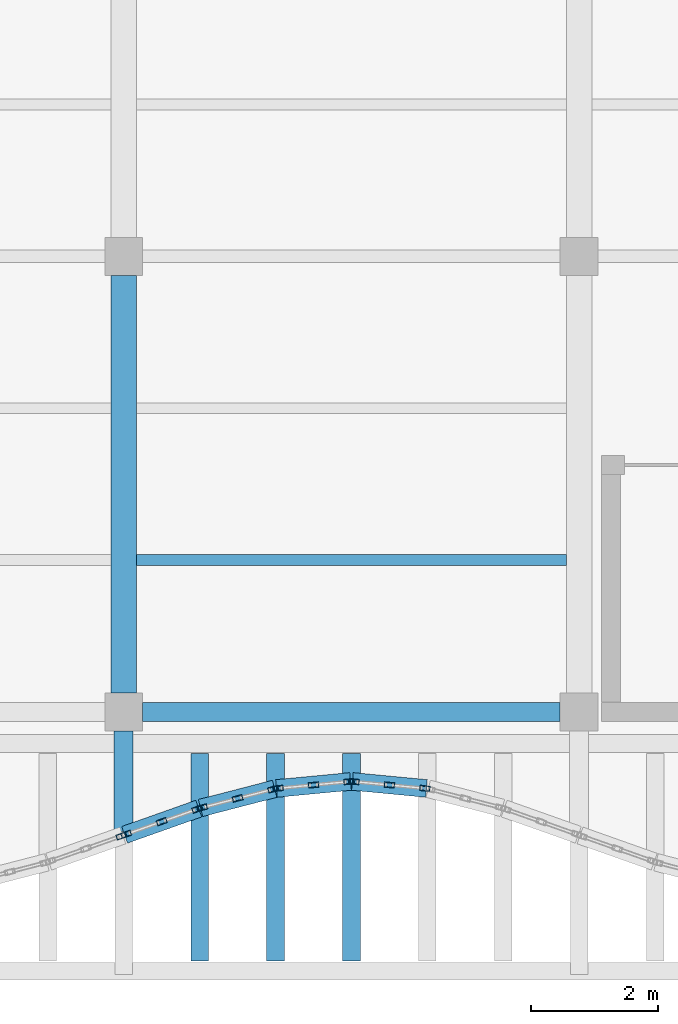
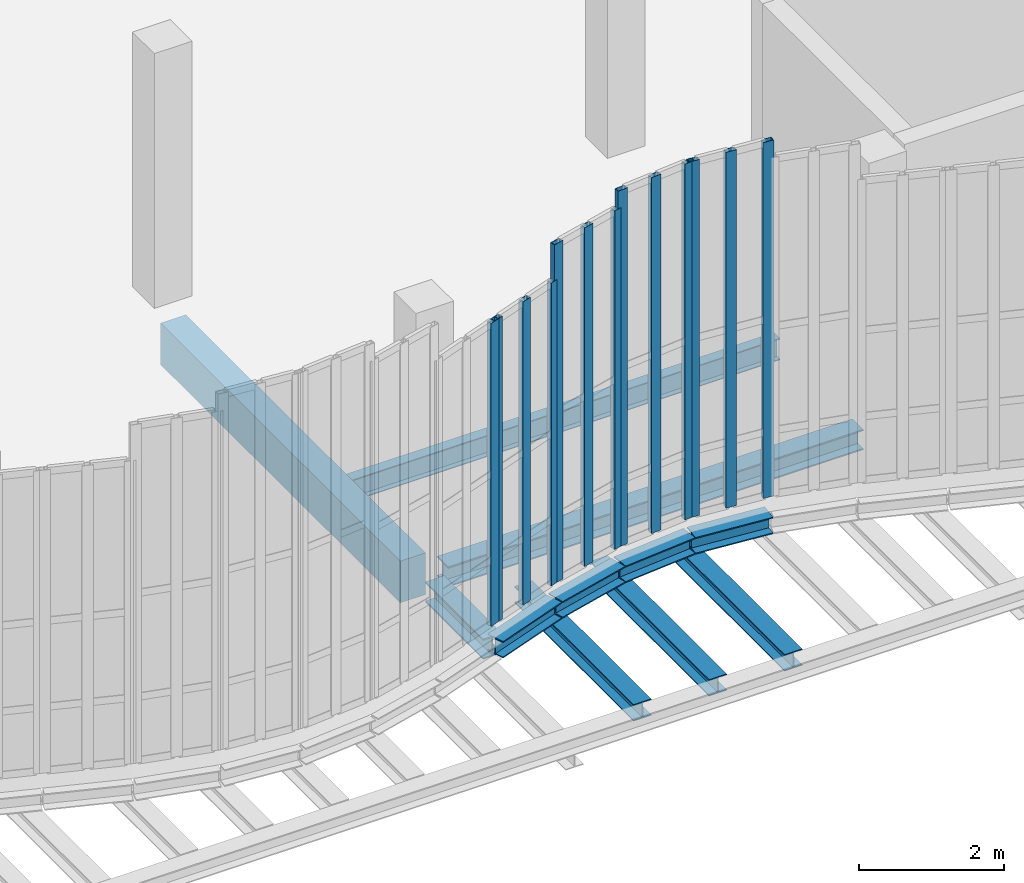
# One storey, part 9 of 76: 13 members, 11 beams, 5 elements without a shape of their own.
"""IFC4 building model written with IfcOpenShell, lengths in metres."""

from ifc_helpers import new_model, si_unit, direction, frame, origin, origin_2d, place, context, subcontext, project, spatial, rectangle, hollow_rectangle, i_section, extrude, material, layer, layer_set, material_profile, profile_set, type_object, element, aggregate, save


model = new_model("IFC4")

# Units and contexts
model_context = context("Model", 3, precision=1e-05, world=origin(), true_north=direction((0.0, 1.0)))
body_context = subcontext(model_context, "Body", "Model", "MODEL_VIEW")
ifc_project = project(units=[si_unit("LENGTHUNIT", "METRE"), si_unit("AREAUNIT", "SQUARE_METRE"), si_unit("VOLUMEUNIT", "CUBIC_METRE"), si_unit("PLANEANGLEUNIT", "RADIAN"), si_unit("MASSUNIT", "GRAM", prefix="KILO"), si_unit("THERMODYNAMICTEMPERATUREUNIT", "KELVIN"), si_unit("POWERUNIT", "WATT")], contexts=[model_context])

# Site, building, storey
site_placement = place(None, origin())
site = spatial("IfcSite", under=ifc_project, at=site_placement, CompositionType="ELEMENT")
building_placement = place(site_placement, origin())
building = spatial("IfcBuilding", under=site, at=building_placement, Name="Kaldorven Railside Theatre", CompositionType="ELEMENT")
storey_placement = place(building_placement, frame((0.0, 0.0, 14.39990234375)))
storey = spatial("IfcBuildingStorey", under=building, at=storey_placement, Name="L03", CompositionType="ELEMENT", Elevation=14.39990234375)

# Beams
ifc_material_1 = material(Name="Steel S355", Category="steel")
ifc_material_profile_1 = material_profile(ifc_material_1, i_section(OverallWidth=0.280029296875, OverallDepth=0.280029296875, WebThickness=0.010498046875, FlangeThickness=0.01806640625, at=origin_2d()), Name="HEB 280")
ifc_profile_set_1 = profile_set([ifc_material_profile_1], Name="Steel S355")
beam_type_1 = type_object("IfcBeamType", Name="BM-HEB280", PredefinedType="SPANDREL", material=ifc_profile_set_1)
beam_1_placement = place(storey_placement, frame((51.214111328125, 17.2548828125, -0.419921875), z_axis=(0.942627225161, 0.333847142245, 0.0), x_axis=(-0.333847142245, 0.942627225161, 0.0)))
element("IfcBeam", 1, at=beam_1_placement, inside=storey, type_object=beam_type_1, Name="L03 Sinusoidal Flute Edge Spandrel FSB-157", PredefinedType="SPANDREL", context=body_context, shape_type="SweptSolid", body=[
    extrude(i_section(OverallWidth=0.280029296875, OverallDepth=0.280029296875, WebThickness=0.010498046875, FlangeThickness=0.01806640625, at=origin_2d()), origin(), (0.0, 0.0, 1.0), 1.2431640625),
])
beam_2_placement = place(storey_placement, frame((52.41455078125, 17.6787109375, -0.419921875), z_axis=(0.967967836725, 0.251074226206, 0.0), x_axis=(-0.251074226206, 0.967967836725, 0.0)))
element("IfcBeam", 2, at=beam_2_placement, inside=storey, type_object=beam_type_1, Name="L03 Sinusoidal Flute Edge Spandrel FSB-158", PredefinedType="SPANDREL", context=body_context, shape_type="SweptSolid", body=[
    extrude(i_section(OverallWidth=0.280029296875, OverallDepth=0.280029296875, WebThickness=0.010498046875, FlangeThickness=0.01806640625, at=origin_2d()), origin(), (0.0, 0.0, 1.0), 1.209716796875),
])
beam_3_placement = place(storey_placement, frame((52.39990234375, 15.260009765625, -0.699951171875), z_axis=(0.0, 1.0, 0.0), x_axis=(-1.0, 0.0, 0.0)))
element("IfcBeam", 3, at=beam_3_placement, inside=storey, type_object=beam_type_1, Name="L03 Sinusoidal Diaphragm Rib Outrigger FOB-M158", PredefinedType="SPANDREL", context=body_context, shape_type="SweptSolid", body=[
    extrude(i_section(OverallWidth=0.280029296875, OverallDepth=0.280029296875, WebThickness=0.010498046875, FlangeThickness=0.01806640625, at=origin_2d()), origin(), (0.0, 0.0, 1.0), 3.280029296875),
])
beam_4_placement = place(storey_placement, frame((53.614990234375, 17.987548828125, -0.419921875), z_axis=(0.99552436473, 0.094505233873, 0.0), x_axis=(-0.094505233873, 0.99552436473, 0.0)))
element("IfcBeam", 4, at=beam_4_placement, inside=storey, type_object=beam_type_1, Name="L03 Sinusoidal Flute Edge Spandrel FSB-159", PredefinedType="SPANDREL", context=body_context, shape_type="SweptSolid", body=[
    extrude(i_section(OverallWidth=0.280029296875, OverallDepth=0.280029296875, WebThickness=0.010498046875, FlangeThickness=0.01806640625, at=origin_2d()), origin(), (0.0, 0.0, 1.0), 1.175537109375),
])
beam_5_placement = place(storey_placement, frame((53.60009765625, 15.260009765625, -0.699951171875), z_axis=(0.0, 1.0, 0.0), x_axis=(-1.0, 0.0, 0.0)))
element("IfcBeam", 5, at=beam_5_placement, inside=storey, type_object=beam_type_1, Name="L03 Sinusoidal Diaphragm Rib Outrigger FOB-M159", PredefinedType="SPANDREL", context=body_context, shape_type="SweptSolid", body=[
    extrude(i_section(OverallWidth=0.280029296875, OverallDepth=0.280029296875, WebThickness=0.010498046875, FlangeThickness=0.01806640625, at=origin_2d()), origin(), (0.0, 0.0, 1.0), 3.280029296875),
])
beam_6_placement = place(storey_placement, frame((54.81494140625, 18.0986328125, -0.419921875), z_axis=(0.99552436473, -0.094505233873, 0.0), x_axis=(0.094505233873, 0.99552436473, 0.0)))
element("IfcBeam", 6, at=beam_6_placement, inside=storey, type_object=beam_type_1, Name="L03 Sinusoidal Flute Edge Spandrel FSB-160", PredefinedType="SPANDREL", context=body_context, shape_type="SweptSolid", body=[
    extrude(i_section(OverallWidth=0.280029296875, OverallDepth=0.280029296875, WebThickness=0.010498046875, FlangeThickness=0.01806640625, at=origin_2d()), origin(), (0.0, 0.0, 1.0), 1.175537109375),
])
beam_7_placement = place(storey_placement, frame((54.800048828125, 15.260009765625, -0.699951171875), z_axis=(0.0, 1.0, 0.0), x_axis=(-1.0, 0.0, 0.0)))
element("IfcBeam", 7, at=beam_7_placement, inside=storey, type_object=beam_type_1, Name="L03 Sinusoidal Diaphragm Rib Outrigger FOB-M160", PredefinedType="SPANDREL", context=body_context, shape_type="SweptSolid", body=[
    extrude(i_section(OverallWidth=0.280029296875, OverallDepth=0.280029296875, WebThickness=0.010498046875, FlangeThickness=0.01806640625, at=origin_2d()), origin(), (0.0, 0.0, 1.0), 3.280029296875),
])
ifc_material_profile_2 = material_profile(ifc_material_1, i_section(OverallWidth=0.300048828125, OverallDepth=0.340087890625, WebThickness=0.011962890625, FlangeThickness=0.021484375, at=origin_2d()), Name="HEB 340")
ifc_profile_set_2 = profile_set([ifc_material_profile_2], Name="Steel S355")
beam_type_2 = type_object("IfcBeamType", Name="BM-HEB340", PredefinedType="SPANDREL", material=ifc_profile_set_2)
beam_8_placement = place(storey_placement, frame((51.5, 19.199951171875, -0.449951171875), z_axis=(1.0, 0.0, 0.0), x_axis=(0.0, 1.0, 0.0)))
element("IfcBeam", 8, at=beam_8_placement, inside=storey, type_object=beam_type_2, Name="L03 Girder BGX-L03-051-019", PredefinedType="SPANDREL", context=body_context, shape_type="SweptSolid", body=[
    extrude(i_section(OverallWidth=0.300048828125, OverallDepth=0.340087890625, WebThickness=0.011962890625, FlangeThickness=0.021484375, at=origin_2d()), origin(), (0.0, 0.0, 1.0), 6.60009765625),
])
beam_9_placement = place(storey_placement, frame((51.199951171875, 17.31005859375, -0.449951171875), z_axis=(0.0, 1.0, 0.0), x_axis=(-1.0, 0.0, 0.0)))
element("IfcBeam", 9, at=beam_9_placement, inside=storey, type_object=beam_type_2, Name="L03 Sinusoidal Veil Outrigger FOB-3051", PredefinedType="SPANDREL", context=body_context, shape_type="SweptSolid", body=[
    extrude(i_section(OverallWidth=0.300048828125, OverallDepth=0.340087890625, WebThickness=0.011962890625, FlangeThickness=0.021484375, at=origin_2d()), origin(), (0.0, 0.0, 1.0), 1.58984375),
])
ifc_material_profile_3 = material_profile(ifc_material_1, i_section(OverallWidth=0.169921875, OverallDepth=0.360107421875, WebThickness=0.008056640625, FlangeThickness=0.0126953125, at=origin_2d()), Name="IPE 360")
ifc_profile_set_3 = profile_set([ifc_material_profile_3], Name="Steel S355")
beam_type_3 = type_object("IfcBeamType", Name="BM-IPE360", PredefinedType="JOIST", material=ifc_profile_set_3)
beam_10_placement = place(storey_placement, frame((51.39990234375, 21.60009765625, -0.4599609375), z_axis=(1.0, 0.0, 0.0), x_axis=(0.0, 1.0, 0.0)))
element("IfcBeam", 10, at=beam_10_placement, inside=storey, type_object=beam_type_3, Name="L03 Secondary Floor Joist JG-L03-051-0216", PredefinedType="JOIST", context=body_context, shape_type="SweptSolid", body=[
    extrude(i_section(OverallWidth=0.169921875, OverallDepth=0.360107421875, WebThickness=0.008056640625, FlangeThickness=0.0126953125, at=origin_2d()), origin(), (0.0, 0.0, 1.0), 6.800048828125),
])
ifc_material_2 = material(Name="Concrete C40/50", Category="concrete")
ifc_material_profile_4 = material_profile(ifc_material_2, rectangle(XDim=0.39990234375, YDim=0.699951171875, at=origin_2d()), Name="RC 400x700")
ifc_profile_set_4 = profile_set([ifc_material_profile_4], Name="Concrete C40/50")
beam_type_4 = type_object("IfcBeamType", Name="BM-RC400x700", PredefinedType="BEAM", material=ifc_profile_set_4)
beam_11_placement = place(storey_placement, frame((51.199951171875, 19.5, -0.6298828125), z_axis=(0.0, 1.0, 0.0), x_axis=(-1.0, 0.0, 0.0)))
element("IfcBeam", 11, at=beam_11_placement, inside=storey, type_object=beam_type_4, Name="L03 Girder BGY-L03-051-019-72", PredefinedType="BEAM", context=body_context, shape_type="SweptSolid", body=[
    extrude(rectangle(XDim=0.39990234375, YDim=0.699951171875, at=origin_2d()), origin(), (0.0, 0.0, 1.0), 6.60009765625),
])

# Curtain wall, member
ifc_material_3 = material(Name="Low-E laminated solar-control glass", Category="glass")
ifc_layer_1 = layer(ifc_material_3, 0.159912109375, Name="Low-E laminated solar-control glass")
ifc_layer_set_1 = layer_set([ifc_layer_1], Name="Low-E laminated solar-control glass")
curtain_wall_type_1 = type_object("IfcCurtainWallType", Name="CWT-08", PredefinedType="USERDEFINED", material=ifc_layer_set_1)
curtain_wall_1_placement = place(storey_placement, origin())
curtain_wall_1 = element("IfcCurtainWall", 12, at=curtain_wall_1_placement, inside=storey, type_object=curtain_wall_type_1, Name="Sinusoidal Fluted Curtain Wall CW-L03-S12", ObjectType="FLUTED GLAZING", PredefinedType="USERDEFINED")
ifc_material_4 = material(Name="Anodised bronze aluminium", Category="aluminium")
ifc_material_profile_5 = material_profile(ifc_material_4, hollow_rectangle(XDim=0.080078125, YDim=0.159912109375, WallThickness=0.00634765625, at=origin_2d()), Name="RHS 160x80x6.3")
ifc_profile_set_5 = profile_set([ifc_material_profile_5], Name="Anodised bronze aluminium")
member_type = type_object("IfcMemberType", Name="CWM-160", PredefinedType="MULLION", material=ifc_profile_set_5)
member_1_placement = place(storey_placement, frame((51.162353515625, 17.236572265625, 0.0), z_axis=(0.0, 0.0, 1.0), x_axis=(-0.33384714225, 0.942627225159, 0.0)))
member_1 = element("IfcMember", 13, at=member_1_placement, type_object=member_type, Name="CW-L03-S12 mullion 3", PredefinedType="MULLION", context=body_context, shape_type="SweptSolid", body=[
    extrude(hollow_rectangle(XDim=0.080078125, YDim=0.159912109375, WallThickness=0.00634765625, at=origin_2d()), origin(), (0.0, 0.0, 1.0), 5.090087890625),
])
aggregate(curtain_wall_1, [member_1])

# Curtain wall, members
curtain_wall_2_placement = place(storey_placement, origin())
curtain_wall_2 = element("IfcCurtainWall", 14, at=curtain_wall_2_placement, inside=storey, type_object=curtain_wall_type_1, Name="Sinusoidal Fluted Curtain Wall CW-L03-S13", ObjectType="FLUTED GLAZING", PredefinedType="USERDEFINED")
member_2_placement = place(storey_placement, frame((51.23779296875, 17.263427734375, 0.0), z_axis=(0.0, 0.0, 1.0), x_axis=(-0.33384714225, 0.942627225159, 0.0)))
member_2 = element("IfcMember", 15, at=member_2_placement, type_object=member_type, Name="CW-L03-S13 mullion 1", PredefinedType="MULLION", context=body_context, shape_type="SweptSolid", body=[
    extrude(hollow_rectangle(XDim=0.080078125, YDim=0.159912109375, WallThickness=0.00634765625, at=origin_2d()), origin(), (0.0, 0.0, 1.0), 5.090087890625),
])
member_3_placement = place(storey_placement, frame((51.800048828125, 17.46240234375, 0.0), z_axis=(0.0, 0.0, 1.0), x_axis=(-0.33384714225, 0.942627225159, 0.0)))
member_3 = element("IfcMember", 16, at=member_3_placement, type_object=member_type, Name="CW-L03-S13 mullion 2", PredefinedType="MULLION", context=body_context, shape_type="SweptSolid", body=[
    extrude(hollow_rectangle(XDim=0.080078125, YDim=0.159912109375, WallThickness=0.00634765625, at=origin_2d()), origin(), (0.0, 0.0, 1.0), 5.090087890625),
])
member_4_placement = place(storey_placement, frame((52.3623046875, 17.66162109375, 0.0), z_axis=(0.0, 0.0, 1.0), x_axis=(-0.33384714225, 0.942627225159, 0.0)))
member_4 = element("IfcMember", 17, at=member_4_placement, type_object=member_type, Name="CW-L03-S13 mullion 3", PredefinedType="MULLION", context=body_context, shape_type="SweptSolid", body=[
    extrude(hollow_rectangle(XDim=0.080078125, YDim=0.159912109375, WallThickness=0.00634765625, at=origin_2d()), origin(), (0.0, 0.0, 1.0), 5.090087890625),
])
aggregate(curtain_wall_2, [member_2, member_3, member_4])

ifc_layer_2 = layer(ifc_material_3, 0.159912109375, Name="Low-E laminated solar-control glass")
ifc_layer_set_2 = layer_set([ifc_layer_2], Name="Low-E laminated solar-control glass")
curtain_wall_type_2 = type_object("IfcCurtainWallType", Name="CWT-09", PredefinedType="USERDEFINED", material=ifc_layer_set_2)
curtain_wall_3_placement = place(storey_placement, origin())
curtain_wall_3 = element("IfcCurtainWall", 18, at=curtain_wall_3_placement, inside=storey, type_object=curtain_wall_type_2, Name="Sinusoidal Fluted Curtain Wall CW-L03-S14", ObjectType="FLUTED GLAZING", PredefinedType="USERDEFINED")
member_5_placement = place(storey_placement, frame((52.438720703125, 17.68505859375, 0.0), z_axis=(0.0, 0.0, 1.0), x_axis=(-0.250953760326, 0.967999075505, 0.0)))
member_5 = element("IfcMember", 19, at=member_5_placement, type_object=member_type, Name="CW-L03-S14 mullion 1", PredefinedType="MULLION", context=body_context, shape_type="SweptSolid", body=[
    extrude(hollow_rectangle(XDim=0.080078125, YDim=0.159912109375, WallThickness=0.00634765625, at=origin_2d()), origin(), (0.0, 0.0, 1.0), 5.690185546875),
])
member_6_placement = place(storey_placement, frame((53.0, 17.83056640625, 0.0), z_axis=(0.0, 0.0, 1.0), x_axis=(-0.250953760326, 0.967999075505, 0.0)))
member_6 = element("IfcMember", 20, at=member_6_placement, type_object=member_type, Name="CW-L03-S14 mullion 2", PredefinedType="MULLION", context=body_context, shape_type="SweptSolid", body=[
    extrude(hollow_rectangle(XDim=0.080078125, YDim=0.159912109375, WallThickness=0.00634765625, at=origin_2d()), origin(), (0.0, 0.0, 1.0), 5.690185546875),
])
member_7_placement = place(storey_placement, frame((53.561279296875, 17.97607421875, 0.0), z_axis=(0.0, 0.0, 1.0), x_axis=(-0.250953760326, 0.967999075505, 0.0)))
member_7 = element("IfcMember", 21, at=member_7_placement, type_object=member_type, Name="CW-L03-S14 mullion 3", PredefinedType="MULLION", context=body_context, shape_type="SweptSolid", body=[
    extrude(hollow_rectangle(XDim=0.080078125, YDim=0.159912109375, WallThickness=0.00634765625, at=origin_2d()), origin(), (0.0, 0.0, 1.0), 5.690185546875),
])
aggregate(curtain_wall_3, [member_5, member_6, member_7])

ifc_layer_3 = layer(ifc_material_3, 0.159912109375, Name="Low-E laminated solar-control glass")
ifc_layer_set_3 = layer_set([ifc_layer_3], Name="Low-E laminated solar-control glass")
curtain_wall_type_3 = type_object("IfcCurtainWallType", Name="CWT-10", PredefinedType="USERDEFINED", material=ifc_layer_set_3)
curtain_wall_4_placement = place(storey_placement, origin())
curtain_wall_4 = element("IfcCurtainWall", 22, at=curtain_wall_4_placement, inside=storey, type_object=curtain_wall_type_3, Name="Sinusoidal Fluted Curtain Wall CW-L03-S15", ObjectType="FLUTED GLAZING", PredefinedType="USERDEFINED")
member_8_placement = place(storey_placement, frame((53.639892578125, 17.989990234375, 0.0), z_axis=(0.0, 0.0, 1.0), x_axis=(-0.094491973758, 0.995525623425, 0.0)))
member_8 = element("IfcMember", 23, at=member_8_placement, type_object=member_type, Name="CW-L03-S15 mullion 1", PredefinedType="MULLION", context=body_context, shape_type="SweptSolid", body=[
    extrude(hollow_rectangle(XDim=0.080078125, YDim=0.159912109375, WallThickness=0.00634765625, at=origin_2d()), origin(), (0.0, 0.0, 1.0), 5.97998046875),
])
member_9_placement = place(storey_placement, frame((54.199951171875, 18.04296875, 0.0), z_axis=(0.0, 0.0, 1.0), x_axis=(-0.094491973758, 0.995525623425, 0.0)))
member_9 = element("IfcMember", 24, at=member_9_placement, type_object=member_type, Name="CW-L03-S15 mullion 2", PredefinedType="MULLION", context=body_context, shape_type="SweptSolid", body=[
    extrude(hollow_rectangle(XDim=0.080078125, YDim=0.159912109375, WallThickness=0.00634765625, at=origin_2d()), origin(), (0.0, 0.0, 1.0), 5.97998046875),
])
member_10_placement = place(storey_placement, frame((54.76025390625, 18.09619140625, 0.0), z_axis=(0.0, 0.0, 1.0), x_axis=(-0.094491973758, 0.995525623425, 0.0)))
member_10 = element("IfcMember", 25, at=member_10_placement, type_object=member_type, Name="CW-L03-S15 mullion 3", PredefinedType="MULLION", context=body_context, shape_type="SweptSolid", body=[
    extrude(hollow_rectangle(XDim=0.080078125, YDim=0.159912109375, WallThickness=0.00634765625, at=origin_2d()), origin(), (0.0, 0.0, 1.0), 5.97998046875),
])
aggregate(curtain_wall_4, [member_8, member_9, member_10])

curtain_wall_5_placement = place(storey_placement, origin())
curtain_wall_5 = element("IfcCurtainWall", 26, at=curtain_wall_5_placement, inside=storey, type_object=curtain_wall_type_3, Name="Sinusoidal Fluted Curtain Wall CW-L03-S16", ObjectType="FLUTED GLAZING", PredefinedType="USERDEFINED")
member_11_placement = place(storey_placement, frame((54.83984375, 18.09619140625, 0.0), z_axis=(0.0, 0.0, 1.0), x_axis=(0.094491973758, 0.995525623425, 0.0)))
member_11 = element("IfcMember", 27, at=member_11_placement, type_object=member_type, Name="CW-L03-S16 mullion 1", PredefinedType="MULLION", context=body_context, shape_type="SweptSolid", body=[
    extrude(hollow_rectangle(XDim=0.080078125, YDim=0.159912109375, WallThickness=0.00634765625, at=origin_2d()), origin(), (0.0, 0.0, 1.0), 5.97998046875),
])
member_12_placement = place(storey_placement, frame((55.39990234375, 18.04296875, 0.0), z_axis=(0.0, 0.0, 1.0), x_axis=(0.094491973758, 0.995525623425, 0.0)))
member_12 = element("IfcMember", 28, at=member_12_placement, type_object=member_type, Name="CW-L03-S16 mullion 2", PredefinedType="MULLION", context=body_context, shape_type="SweptSolid", body=[
    extrude(hollow_rectangle(XDim=0.080078125, YDim=0.159912109375, WallThickness=0.00634765625, at=origin_2d()), origin(), (0.0, 0.0, 1.0), 5.97998046875),
])
member_13_placement = place(storey_placement, frame((55.960205078125, 17.989990234375, 0.0), z_axis=(0.0, 0.0, 1.0), x_axis=(0.094491973758, 0.995525623425, 0.0)))
member_13 = element("IfcMember", 29, at=member_13_placement, type_object=member_type, Name="CW-L03-S16 mullion 3", PredefinedType="MULLION", context=body_context, shape_type="SweptSolid", body=[
    extrude(hollow_rectangle(XDim=0.080078125, YDim=0.159912109375, WallThickness=0.00634765625, at=origin_2d()), origin(), (0.0, 0.0, 1.0), 5.97998046875),
])
aggregate(curtain_wall_5, [member_11, member_12, member_13])

save(model, "model.ifc")
